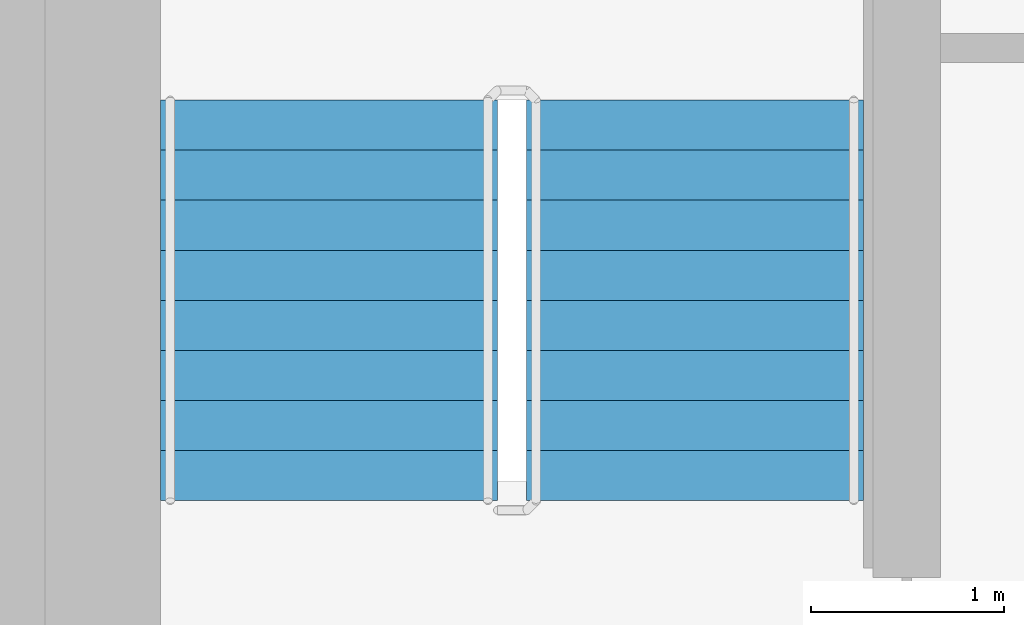
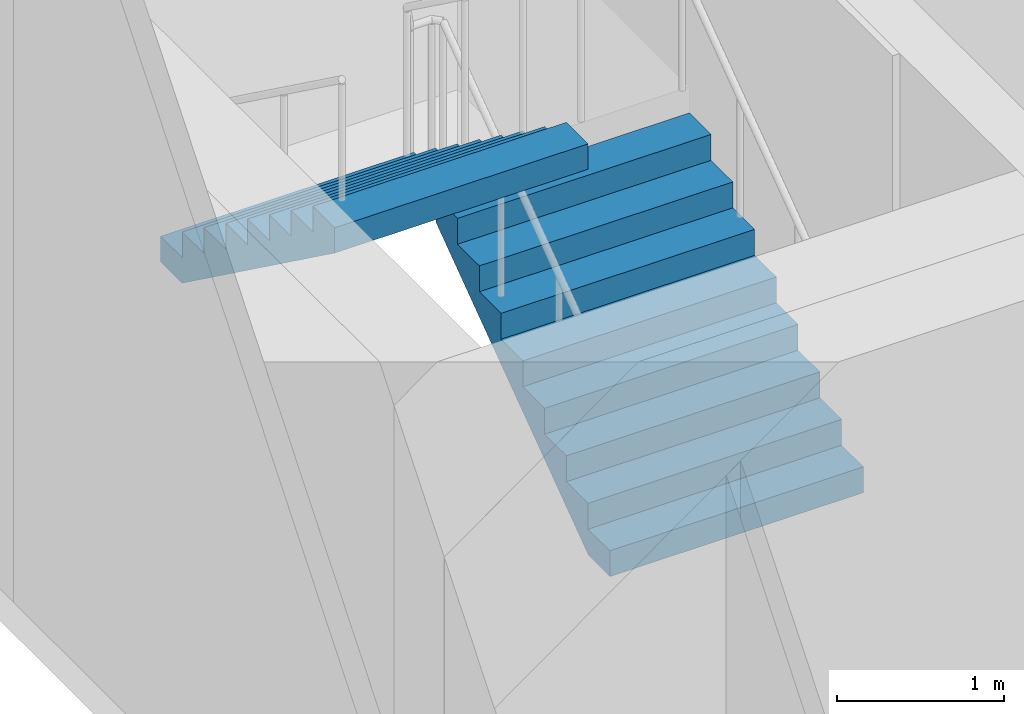
# One storey, part 15 of 18: 2 stair flights, 1 element without a shape of its own.
"""IFC4 building model written with IfcOpenShell, lengths in metres."""

from ifc_helpers import new_model, si_unit, direction, frame, origin, place, context, subcontext, project, spatial, faceted_brep, material, type_object, element, aggregate, save


model = new_model("IFC4")

# Units and contexts
model_context = context("Model", 3, precision=1e-05, world=origin(), true_north=direction((0.0, 1.0)))
body_context = subcontext(model_context, "Body", "Model", "MODEL_VIEW")
ifc_project = project(units=[si_unit("LENGTHUNIT", "METRE"), si_unit("AREAUNIT", "SQUARE_METRE"), si_unit("VOLUMEUNIT", "CUBIC_METRE"), si_unit("PLANEANGLEUNIT", "RADIAN"), si_unit("MASSUNIT", "GRAM", prefix="KILO")], contexts=[model_context])

# Site, building, storey
site_placement = place(None, origin())
site = spatial("IfcSite", under=ifc_project, at=site_placement, CompositionType="ELEMENT")
building_placement = place(site_placement, origin())
building = spatial("IfcBuilding", under=site, at=building_placement, Name="Ipe Terrace Towers", CompositionType="ELEMENT")
storey_placement = place(building_placement, frame((0.0, 0.0, 219.800048828125)))
storey = spatial("IfcBuildingStorey", under=building, at=storey_placement, Name="L61", CompositionType="ELEMENT", Elevation=219.800048828125)

# Stair, stair flights
ifc_material_1 = material(Name="Concrete C30/37", Category="concrete")
stair_type = type_object("IfcStairType", Name="Protected exit stair", PredefinedType="HALF_TURN_STAIR", material=ifc_material_1)
stair_placement = place(storey_placement, origin())
stair = element("IfcStair", 1, at=stair_placement, inside=storey, type_object=stair_type, Name="L61 Exit stair T2-C1", PredefinedType="HALF_TURN_STAIR")
ifc_material_2 = material(Name="Concrete C30/37", Category="concrete")
stair_flight_type = type_object("IfcStairFlightType", Name="Exit stair flight 1750", PredefinedType="STRAIGHT", material=ifc_material_2)
stair_flight_1_placement = place(storey_placement, frame((33.22509765625, 9.699951171875, 0.0), z_axis=(0.0, 0.0, 1.0), x_axis=(0.0, 1.0, 0.0)))
stair_flight_1 = element("IfcStairFlight", 2, at=stair_flight_1_placement, type_object=stair_flight_type, Name="T2-ST1 flight 1", NumberOfRisers=9, NumberOfTreads=8, PredefinedType="STRAIGHT", RiserHeight=0.188888889, TreadLength=0.26, context=body_context, shape_type="Brep", body=[
    faceted_brep([(0.255126953125, -0.875, 0.0), (2.080078125, -0.875, 1.325927734375), (2.080078125, -0.875, 1.51123046875), (1.820068359375, -0.875, 1.51123046875), (1.820068359375, -0.875, 1.322265625), (1.56005859375, -0.875, 1.322265625), (1.56005859375, -0.875, 1.13330078125), (1.300048828125, -0.875, 1.13330078125), (1.300048828125, -0.875, 0.9443359375), (1.0400390625, -0.875, 0.9443359375), (1.0400390625, -0.875, 0.755615234375), (0.780029296875, -0.875, 0.755615234375), (0.780029296875, -0.875, 0.566650390625), (0.52001953125, -0.875, 0.566650390625), (0.52001953125, -0.875, 0.377685546875), (0.260009765625, -0.875, 0.377685546875), (0.260009765625, -0.875, 0.18896484375), (0.0, -0.875, 0.18896484375), (0.0, -0.875, 0.0), (0.0, 0.875, 0.0), (0.0, 0.875, 0.18896484375), (0.260009765625, 0.875, 0.18896484375), (0.260009765625, 0.875, 0.377685546875), (0.52001953125, 0.875, 0.377685546875), (0.52001953125, 0.875, 0.566650390625), (0.780029296875, 0.875, 0.566650390625), (0.780029296875, 0.875, 0.755615234375), (1.0400390625, 0.875, 0.755615234375), (1.0400390625, 0.875, 0.9443359375), (1.300048828125, 0.875, 0.9443359375), (1.300048828125, 0.875, 1.13330078125), (1.56005859375, 0.875, 1.13330078125), (1.56005859375, 0.875, 1.322265625), (1.820068359375, 0.875, 1.322265625), (1.820068359375, 0.875, 1.51123046875), (2.080078125, 0.875, 1.51123046875), (2.080078125, 0.875, 1.325927734375), (0.255126953125, 0.875, 0.0), (0.0, -0.300048828125, 0.18896484375), (0.0, -0.1201171875, 0.18896484375), (0.0, -0.06005859375, 0.18896484375), (0.0, -0.030029296875, 0.18896484375), (0.0, -0.010009765625, 0.18896484375), (0.0, 0.0, 0.18896484375), (0.0, 0.010009765625, 0.18896484375), (0.0, 0.030029296875, 0.18896484375), (0.0, 0.06005859375, 0.18896484375), (0.0, 0.1201171875, 0.18896484375), (0.0, 0.300048828125, 0.18896484375), (0.0, 0.300048828125, 0.0), (0.0, 0.1201171875, 0.0), (0.0, 0.06005859375, 0.0), (0.0, 0.030029296875, 0.0), (0.0, 0.010009765625, 0.0), (0.0, 0.0, 0.0), (0.0, -0.010009765625, 0.0), (0.0, -0.030029296875, 0.0), (0.0, -0.06005859375, 0.0), (0.0, -0.1201171875, 0.0), (0.0, -0.300048828125, 0.0), (0.260009765625, -0.300048828125, 0.18896484375), (0.260009765625, -0.1201171875, 0.18896484375), (0.260009765625, -0.06005859375, 0.18896484375), (0.260009765625, -0.030029296875, 0.18896484375), (0.260009765625, -0.010009765625, 0.18896484375), (0.260009765625, 0.0, 0.18896484375), (0.260009765625, 0.010009765625, 0.18896484375), (0.260009765625, 0.030029296875, 0.18896484375), (0.260009765625, 0.06005859375, 0.18896484375), (0.260009765625, 0.1201171875, 0.18896484375), (0.260009765625, 0.300048828125, 0.18896484375), (0.260009765625, -0.300048828125, 0.377685546875), (0.260009765625, -0.1201171875, 0.377685546875), (0.260009765625, -0.06005859375, 0.377685546875), (0.260009765625, -0.030029296875, 0.377685546875), (0.260009765625, -0.010009765625, 0.377685546875), (0.260009765625, 0.0, 0.377685546875), (0.260009765625, 0.010009765625, 0.377685546875), (0.260009765625, 0.030029296875, 0.377685546875), (0.260009765625, 0.06005859375, 0.377685546875), (0.260009765625, 0.1201171875, 0.377685546875), (0.260009765625, 0.300048828125, 0.377685546875), (0.52001953125, -0.300048828125, 0.377685546875), (0.52001953125, -0.1201171875, 0.377685546875), (0.52001953125, -0.06005859375, 0.377685546875), (0.52001953125, -0.030029296875, 0.377685546875), (0.52001953125, -0.010009765625, 0.377685546875), (0.52001953125, 0.0, 0.377685546875), (0.52001953125, 0.010009765625, 0.377685546875), (0.52001953125, 0.030029296875, 0.377685546875), (0.52001953125, 0.06005859375, 0.377685546875), (0.52001953125, 0.1201171875, 0.377685546875), (0.52001953125, 0.300048828125, 0.377685546875), (0.52001953125, -0.300048828125, 0.566650390625), (0.52001953125, -0.1201171875, 0.566650390625), (0.52001953125, -0.06005859375, 0.566650390625), (0.52001953125, -0.030029296875, 0.566650390625), (0.52001953125, -0.010009765625, 0.566650390625), (0.52001953125, 0.0, 0.566650390625), (0.52001953125, 0.010009765625, 0.566650390625), (0.52001953125, 0.030029296875, 0.566650390625), (0.52001953125, 0.06005859375, 0.566650390625), (0.52001953125, 0.1201171875, 0.566650390625), (0.52001953125, 0.300048828125, 0.566650390625), (0.780029296875, -0.300048828125, 0.566650390625), (0.780029296875, -0.1201171875, 0.566650390625), (0.780029296875, -0.06005859375, 0.566650390625), (0.780029296875, -0.030029296875, 0.566650390625), (0.780029296875, -0.010009765625, 0.566650390625), (0.780029296875, 0.0, 0.566650390625), (0.780029296875, 0.010009765625, 0.566650390625), (0.780029296875, 0.030029296875, 0.566650390625), (0.780029296875, 0.06005859375, 0.566650390625), (0.780029296875, 0.1201171875, 0.566650390625), (0.780029296875, 0.300048828125, 0.566650390625), (0.780029296875, -0.300048828125, 0.755615234375), (0.780029296875, -0.1201171875, 0.755615234375), (0.780029296875, -0.06005859375, 0.755615234375), (0.780029296875, -0.030029296875, 0.755615234375), (0.780029296875, -0.010009765625, 0.755615234375), (0.780029296875, 0.0, 0.755615234375), (0.780029296875, 0.010009765625, 0.755615234375), (0.780029296875, 0.030029296875, 0.755615234375), (0.780029296875, 0.06005859375, 0.755615234375), (0.780029296875, 0.1201171875, 0.755615234375), (0.780029296875, 0.300048828125, 0.755615234375), (1.0400390625, -0.300048828125, 0.755615234375), (1.0400390625, -0.1201171875, 0.755615234375), (1.0400390625, -0.06005859375, 0.755615234375), (1.0400390625, -0.030029296875, 0.755615234375), (1.0400390625, -0.010009765625, 0.755615234375), (1.0400390625, 0.0, 0.755615234375), (1.0400390625, 0.010009765625, 0.755615234375), (1.0400390625, 0.030029296875, 0.755615234375), (1.0400390625, 0.06005859375, 0.755615234375), (1.0400390625, 0.1201171875, 0.755615234375), (1.0400390625, 0.300048828125, 0.755615234375), (1.0400390625, -0.300048828125, 0.9443359375), (1.0400390625, -0.1201171875, 0.9443359375), (1.0400390625, -0.06005859375, 0.9443359375), (1.0400390625, -0.030029296875, 0.9443359375), (1.0400390625, -0.010009765625, 0.9443359375), (1.0400390625, 0.0, 0.9443359375), (1.0400390625, 0.010009765625, 0.9443359375), (1.0400390625, 0.030029296875, 0.9443359375), (1.0400390625, 0.06005859375, 0.9443359375), (1.0400390625, 0.1201171875, 0.9443359375), (1.0400390625, 0.300048828125, 0.9443359375), (1.300048828125, -0.300048828125, 0.9443359375), (1.300048828125, -0.1201171875, 0.9443359375), (1.300048828125, -0.06005859375, 0.9443359375), (1.300048828125, -0.030029296875, 0.9443359375), (1.300048828125, -0.010009765625, 0.9443359375), (1.300048828125, 0.0, 0.9443359375), (1.300048828125, 0.010009765625, 0.9443359375), (1.300048828125, 0.030029296875, 0.9443359375), (1.300048828125, 0.06005859375, 0.9443359375), (1.300048828125, 0.1201171875, 0.9443359375), (1.300048828125, 0.300048828125, 0.9443359375), (1.300048828125, -0.300048828125, 1.13330078125), (1.300048828125, -0.1201171875, 1.13330078125), (1.300048828125, -0.06005859375, 1.13330078125), (1.300048828125, -0.030029296875, 1.13330078125), (1.300048828125, -0.010009765625, 1.13330078125), (1.300048828125, 0.0, 1.13330078125), (1.300048828125, 0.010009765625, 1.13330078125), (1.300048828125, 0.030029296875, 1.13330078125), (1.300048828125, 0.06005859375, 1.13330078125), (1.300048828125, 0.1201171875, 1.13330078125), (1.300048828125, 0.300048828125, 1.13330078125), (1.56005859375, -0.300048828125, 1.13330078125), (1.56005859375, -0.1201171875, 1.13330078125), (1.56005859375, -0.06005859375, 1.13330078125), (1.56005859375, -0.030029296875, 1.13330078125), (1.56005859375, -0.010009765625, 1.13330078125), (1.56005859375, 0.0, 1.13330078125), (1.56005859375, 0.010009765625, 1.13330078125), (1.56005859375, 0.030029296875, 1.13330078125), (1.56005859375, 0.06005859375, 1.13330078125), (1.56005859375, 0.1201171875, 1.13330078125), (1.56005859375, 0.300048828125, 1.13330078125), (1.56005859375, -0.300048828125, 1.322265625), (1.56005859375, -0.1201171875, 1.322265625), (1.56005859375, -0.06005859375, 1.322265625), (1.56005859375, -0.030029296875, 1.322265625), (1.56005859375, -0.010009765625, 1.322265625), (1.56005859375, 0.0, 1.322265625), (1.56005859375, 0.010009765625, 1.322265625), (1.56005859375, 0.030029296875, 1.322265625), (1.56005859375, 0.06005859375, 1.322265625), (1.56005859375, 0.1201171875, 1.322265625), (1.56005859375, 0.300048828125, 1.322265625), (1.820068359375, -0.300048828125, 1.322265625), (1.820068359375, -0.1201171875, 1.322265625), (1.820068359375, -0.06005859375, 1.322265625), (1.820068359375, -0.030029296875, 1.322265625), (1.820068359375, -0.010009765625, 1.322265625), (1.820068359375, 0.0, 1.322265625), (1.820068359375, 0.010009765625, 1.322265625), (1.820068359375, 0.030029296875, 1.322265625), (1.820068359375, 0.06005859375, 1.322265625), (1.820068359375, 0.1201171875, 1.322265625), (1.820068359375, 0.300048828125, 1.322265625), (1.820068359375, -0.300048828125, 1.51123046875), (1.820068359375, -0.1201171875, 1.51123046875), (1.820068359375, -0.06005859375, 1.51123046875), (1.820068359375, -0.030029296875, 1.51123046875), (1.820068359375, -0.010009765625, 1.51123046875), (1.820068359375, 0.0, 1.51123046875), (1.820068359375, 0.010009765625, 1.51123046875), (1.820068359375, 0.030029296875, 1.51123046875), (1.820068359375, 0.06005859375, 1.51123046875), (1.820068359375, 0.1201171875, 1.51123046875), (1.820068359375, 0.300048828125, 1.51123046875), (2.080078125, -0.300048828125, 1.51123046875), (2.080078125, -0.1201171875, 1.51123046875), (2.080078125, -0.06005859375, 1.51123046875), (2.080078125, -0.030029296875, 1.51123046875), (2.080078125, -0.010009765625, 1.51123046875), (2.080078125, 0.0, 1.51123046875), (2.080078125, 0.010009765625, 1.51123046875), (2.080078125, 0.030029296875, 1.51123046875), (2.080078125, 0.06005859375, 1.51123046875), (2.080078125, 0.1201171875, 1.51123046875), (2.080078125, 0.300048828125, 1.51123046875), (2.080078125, -0.300048828125, 1.325927734375), (2.080078125, -0.1201171875, 1.325927734375), (2.080078125, -0.06005859375, 1.325927734375), (2.080078125, -0.030029296875, 1.325927734375), (2.080078125, -0.010009765625, 1.325927734375), (2.080078125, 0.0, 1.325927734375), (2.080078125, 0.010009765625, 1.325927734375), (2.080078125, 0.030029296875, 1.325927734375), (2.080078125, 0.06005859375, 1.325927734375), (2.080078125, 0.1201171875, 1.325927734375), (2.080078125, 0.300048828125, 1.325927734375), (0.255126953125, -0.300048828125, 0.0), (0.255126953125, -0.1201171875, 0.0), (0.255126953125, -0.06005859375, 0.0), (0.255126953125, -0.030029296875, 0.0), (0.255126953125, -0.010009765625, 0.0), (0.255126953125, 0.0, 0.0), (0.255126953125, 0.010009765625, 0.0), (0.255126953125, 0.030029296875, 0.0), (0.255126953125, 0.06005859375, 0.0), (0.255126953125, 0.1201171875, 0.0), (0.255126953125, 0.300048828125, 0.0)], [[[0, 1, 2, 3, 4, 5, 6, 7, 8, 9, 10, 11, 12, 13, 14, 15, 16, 17, 18]], [[19, 20, 21, 22, 23, 24, 25, 26, 27, 28, 29, 30, 31, 32, 33, 34, 35, 36, 37]], [[17, 38, 39, 40, 41, 42, 43, 44, 45, 46, 47, 48, 20, 19, 49, 50, 51, 52, 53, 54, 55, 56, 57, 58, 59, 18]], [[16, 60, 61, 62, 63, 64, 65, 66, 67, 68, 69, 70, 21, 20, 48, 47, 46, 45, 44, 43, 42, 41, 40, 39, 38, 17]], [[15, 71, 72, 73, 74, 75, 76, 77, 78, 79, 80, 81, 22, 21, 70, 69, 68, 67, 66, 65, 64, 63, 62, 61, 60, 16]], [[14, 82, 83, 84, 85, 86, 87, 88, 89, 90, 91, 92, 23, 22, 81, 80, 79, 78, 77, 76, 75, 74, 73, 72, 71, 15]], [[13, 93, 94, 95, 96, 97, 98, 99, 100, 101, 102, 103, 24, 23, 92, 91, 90, 89, 88, 87, 86, 85, 84, 83, 82, 14]], [[12, 104, 105, 106, 107, 108, 109, 110, 111, 112, 113, 114, 25, 24, 103, 102, 101, 100, 99, 98, 97, 96, 95, 94, 93, 13]], [[11, 115, 116, 117, 118, 119, 120, 121, 122, 123, 124, 125, 26, 25, 114, 113, 112, 111, 110, 109, 108, 107, 106, 105, 104, 12]], [[10, 126, 127, 128, 129, 130, 131, 132, 133, 134, 135, 136, 27, 26, 125, 124, 123, 122, 121, 120, 119, 118, 117, 116, 115, 11]], [[9, 137, 138, 139, 140, 141, 142, 143, 144, 145, 146, 147, 28, 27, 136, 135, 134, 133, 132, 131, 130, 129, 128, 127, 126, 10]], [[8, 148, 149, 150, 151, 152, 153, 154, 155, 156, 157, 158, 29, 28, 147, 146, 145, 144, 143, 142, 141, 140, 139, 138, 137, 9]], [[7, 159, 160, 161, 162, 163, 164, 165, 166, 167, 168, 169, 30, 29, 158, 157, 156, 155, 154, 153, 152, 151, 150, 149, 148, 8]], [[6, 170, 171, 172, 173, 174, 175, 176, 177, 178, 179, 180, 31, 30, 169, 168, 167, 166, 165, 164, 163, 162, 161, 160, 159, 7]], [[5, 181, 182, 183, 184, 185, 186, 187, 188, 189, 190, 191, 32, 31, 180, 179, 178, 177, 176, 175, 174, 173, 172, 171, 170, 6]], [[4, 192, 193, 194, 195, 196, 197, 198, 199, 200, 201, 202, 33, 32, 191, 190, 189, 188, 187, 186, 185, 184, 183, 182, 181, 5]], [[3, 203, 204, 205, 206, 207, 208, 209, 210, 211, 212, 213, 34, 33, 202, 201, 200, 199, 198, 197, 196, 195, 194, 193, 192, 4]], [[2, 214, 215, 216, 217, 218, 219, 220, 221, 222, 223, 224, 35, 34, 213, 212, 211, 210, 209, 208, 207, 206, 205, 204, 203, 3]], [[1, 225, 226, 227, 228, 229, 230, 231, 232, 233, 234, 235, 36, 35, 224, 223, 222, 221, 220, 219, 218, 217, 216, 215, 214, 2]], [[0, 236, 237, 238, 239, 240, 241, 242, 243, 244, 245, 246, 37, 36, 235, 234, 233, 232, 231, 230, 229, 228, 227, 226, 225, 1]], [[18, 59, 58, 57, 56, 55, 54, 53, 52, 51, 50, 49, 19, 37, 246, 245, 244, 243, 242, 241, 240, 239, 238, 237, 236, 0]]]),
])
stair_flight_2_placement = place(storey_placement, frame((31.324951171875, 11.780029296875, 1.699951171875), z_axis=(0.0, 0.0, 1.0), x_axis=(0.0, -1.0, 0.0)))
stair_flight_2 = element("IfcStairFlight", 3, at=stair_flight_2_placement, type_object=stair_flight_type, Name="T2-ST1 flight 2", NumberOfRisers=9, NumberOfTreads=8, PredefinedType="STRAIGHT", RiserHeight=0.188888889, TreadLength=0.26, context=body_context, shape_type="Brep", body=[
    faceted_brep([(0.255126953125, -0.875, 0.0), (2.080078125, -0.875, 1.325927734375), (2.080078125, -0.875, 1.51123046875), (1.820068359375, -0.875, 1.51123046875), (1.820068359375, -0.875, 1.322265625), (1.56005859375, -0.875, 1.322265625), (1.56005859375, -0.875, 1.13330078125), (1.300048828125, -0.875, 1.13330078125), (1.300048828125, -0.875, 0.9443359375), (1.0400390625, -0.875, 0.9443359375), (1.0400390625, -0.875, 0.755615234375), (0.780029296875, -0.875, 0.755615234375), (0.780029296875, -0.875, 0.566650390625), (0.52001953125, -0.875, 0.566650390625), (0.52001953125, -0.875, 0.377685546875), (0.260009765625, -0.875, 0.377685546875), (0.260009765625, -0.875, 0.18896484375), (0.0, -0.875, 0.18896484375), (0.0, -0.875, 0.0), (0.0, 0.875, 0.0), (0.0, 0.875, 0.18896484375), (0.260009765625, 0.875, 0.18896484375), (0.260009765625, 0.875, 0.377685546875), (0.52001953125, 0.875, 0.377685546875), (0.52001953125, 0.875, 0.566650390625), (0.780029296875, 0.875, 0.566650390625), (0.780029296875, 0.875, 0.755615234375), (1.0400390625, 0.875, 0.755615234375), (1.0400390625, 0.875, 0.9443359375), (1.300048828125, 0.875, 0.9443359375), (1.300048828125, 0.875, 1.13330078125), (1.56005859375, 0.875, 1.13330078125), (1.56005859375, 0.875, 1.322265625), (1.820068359375, 0.875, 1.322265625), (1.820068359375, 0.875, 1.51123046875), (2.080078125, 0.875, 1.51123046875), (2.080078125, 0.875, 1.325927734375), (0.255126953125, 0.875, 0.0), (0.0, -0.300048828125, 0.18896484375), (0.0, -0.1201171875, 0.18896484375), (0.0, -0.06005859375, 0.18896484375), (0.0, -0.030029296875, 0.18896484375), (0.0, -0.010009765625, 0.18896484375), (0.0, 0.0, 0.18896484375), (0.0, 0.010009765625, 0.18896484375), (0.0, 0.030029296875, 0.18896484375), (0.0, 0.06005859375, 0.18896484375), (0.0, 0.1201171875, 0.18896484375), (0.0, 0.300048828125, 0.18896484375), (0.0, 0.300048828125, 0.0), (0.0, 0.1201171875, 0.0), (0.0, 0.06005859375, 0.0), (0.0, 0.030029296875, 0.0), (0.0, 0.010009765625, 0.0), (0.0, 0.0, 0.0), (0.0, -0.010009765625, 0.0), (0.0, -0.030029296875, 0.0), (0.0, -0.06005859375, 0.0), (0.0, -0.1201171875, 0.0), (0.0, -0.300048828125, 0.0), (0.260009765625, -0.300048828125, 0.18896484375), (0.260009765625, -0.1201171875, 0.18896484375), (0.260009765625, -0.06005859375, 0.18896484375), (0.260009765625, -0.030029296875, 0.18896484375), (0.260009765625, -0.010009765625, 0.18896484375), (0.260009765625, 0.0, 0.18896484375), (0.260009765625, 0.010009765625, 0.18896484375), (0.260009765625, 0.030029296875, 0.18896484375), (0.260009765625, 0.06005859375, 0.18896484375), (0.260009765625, 0.1201171875, 0.18896484375), (0.260009765625, 0.300048828125, 0.18896484375), (0.260009765625, -0.300048828125, 0.377685546875), (0.260009765625, -0.1201171875, 0.377685546875), (0.260009765625, -0.06005859375, 0.377685546875), (0.260009765625, -0.030029296875, 0.377685546875), (0.260009765625, -0.010009765625, 0.377685546875), (0.260009765625, 0.0, 0.377685546875), (0.260009765625, 0.010009765625, 0.377685546875), (0.260009765625, 0.030029296875, 0.377685546875), (0.260009765625, 0.06005859375, 0.377685546875), (0.260009765625, 0.1201171875, 0.377685546875), (0.260009765625, 0.300048828125, 0.377685546875), (0.52001953125, -0.300048828125, 0.377685546875), (0.52001953125, -0.1201171875, 0.377685546875), (0.52001953125, -0.06005859375, 0.377685546875), (0.52001953125, -0.030029296875, 0.377685546875), (0.52001953125, -0.010009765625, 0.377685546875), (0.52001953125, 0.0, 0.377685546875), (0.52001953125, 0.010009765625, 0.377685546875), (0.52001953125, 0.030029296875, 0.377685546875), (0.52001953125, 0.06005859375, 0.377685546875), (0.52001953125, 0.1201171875, 0.377685546875), (0.52001953125, 0.300048828125, 0.377685546875), (0.52001953125, -0.300048828125, 0.566650390625), (0.52001953125, -0.1201171875, 0.566650390625), (0.52001953125, -0.06005859375, 0.566650390625), (0.52001953125, -0.030029296875, 0.566650390625), (0.52001953125, -0.010009765625, 0.566650390625), (0.52001953125, 0.0, 0.566650390625), (0.52001953125, 0.010009765625, 0.566650390625), (0.52001953125, 0.030029296875, 0.566650390625), (0.52001953125, 0.06005859375, 0.566650390625), (0.52001953125, 0.1201171875, 0.566650390625), (0.52001953125, 0.300048828125, 0.566650390625), (0.780029296875, -0.300048828125, 0.566650390625), (0.780029296875, -0.1201171875, 0.566650390625), (0.780029296875, -0.06005859375, 0.566650390625), (0.780029296875, -0.030029296875, 0.566650390625), (0.780029296875, -0.010009765625, 0.566650390625), (0.780029296875, 0.0, 0.566650390625), (0.780029296875, 0.010009765625, 0.566650390625), (0.780029296875, 0.030029296875, 0.566650390625), (0.780029296875, 0.06005859375, 0.566650390625), (0.780029296875, 0.1201171875, 0.566650390625), (0.780029296875, 0.300048828125, 0.566650390625), (0.780029296875, -0.300048828125, 0.755615234375), (0.780029296875, -0.1201171875, 0.755615234375), (0.780029296875, -0.06005859375, 0.755615234375), (0.780029296875, -0.030029296875, 0.755615234375), (0.780029296875, -0.010009765625, 0.755615234375), (0.780029296875, 0.0, 0.755615234375), (0.780029296875, 0.010009765625, 0.755615234375), (0.780029296875, 0.030029296875, 0.755615234375), (0.780029296875, 0.06005859375, 0.755615234375), (0.780029296875, 0.1201171875, 0.755615234375), (0.780029296875, 0.300048828125, 0.755615234375), (1.0400390625, -0.300048828125, 0.755615234375), (1.0400390625, -0.1201171875, 0.755615234375), (1.0400390625, -0.06005859375, 0.755615234375), (1.0400390625, -0.030029296875, 0.755615234375), (1.0400390625, -0.010009765625, 0.755615234375), (1.0400390625, 0.0, 0.755615234375), (1.0400390625, 0.010009765625, 0.755615234375), (1.0400390625, 0.030029296875, 0.755615234375), (1.0400390625, 0.06005859375, 0.755615234375), (1.0400390625, 0.1201171875, 0.755615234375), (1.0400390625, 0.300048828125, 0.755615234375), (1.0400390625, -0.300048828125, 0.9443359375), (1.0400390625, -0.1201171875, 0.9443359375), (1.0400390625, -0.06005859375, 0.9443359375), (1.0400390625, -0.030029296875, 0.9443359375), (1.0400390625, -0.010009765625, 0.9443359375), (1.0400390625, 0.0, 0.9443359375), (1.0400390625, 0.010009765625, 0.9443359375), (1.0400390625, 0.030029296875, 0.9443359375), (1.0400390625, 0.06005859375, 0.9443359375), (1.0400390625, 0.1201171875, 0.9443359375), (1.0400390625, 0.300048828125, 0.9443359375), (1.300048828125, -0.300048828125, 0.9443359375), (1.300048828125, -0.1201171875, 0.9443359375), (1.300048828125, -0.06005859375, 0.9443359375), (1.300048828125, -0.030029296875, 0.9443359375), (1.300048828125, -0.010009765625, 0.9443359375), (1.300048828125, 0.0, 0.9443359375), (1.300048828125, 0.010009765625, 0.9443359375), (1.300048828125, 0.030029296875, 0.9443359375), (1.300048828125, 0.06005859375, 0.9443359375), (1.300048828125, 0.1201171875, 0.9443359375), (1.300048828125, 0.300048828125, 0.9443359375), (1.300048828125, -0.300048828125, 1.13330078125), (1.300048828125, -0.1201171875, 1.13330078125), (1.300048828125, -0.06005859375, 1.13330078125), (1.300048828125, -0.030029296875, 1.13330078125), (1.300048828125, -0.010009765625, 1.13330078125), (1.300048828125, 0.0, 1.13330078125), (1.300048828125, 0.010009765625, 1.13330078125), (1.300048828125, 0.030029296875, 1.13330078125), (1.300048828125, 0.06005859375, 1.13330078125), (1.300048828125, 0.1201171875, 1.13330078125), (1.300048828125, 0.300048828125, 1.13330078125), (1.56005859375, -0.300048828125, 1.13330078125), (1.56005859375, -0.1201171875, 1.13330078125), (1.56005859375, -0.06005859375, 1.13330078125), (1.56005859375, -0.030029296875, 1.13330078125), (1.56005859375, -0.010009765625, 1.13330078125), (1.56005859375, 0.0, 1.13330078125), (1.56005859375, 0.010009765625, 1.13330078125), (1.56005859375, 0.030029296875, 1.13330078125), (1.56005859375, 0.06005859375, 1.13330078125), (1.56005859375, 0.1201171875, 1.13330078125), (1.56005859375, 0.300048828125, 1.13330078125), (1.56005859375, -0.300048828125, 1.322265625), (1.56005859375, -0.1201171875, 1.322265625), (1.56005859375, -0.06005859375, 1.322265625), (1.56005859375, -0.030029296875, 1.322265625), (1.56005859375, -0.010009765625, 1.322265625), (1.56005859375, 0.0, 1.322265625), (1.56005859375, 0.010009765625, 1.322265625), (1.56005859375, 0.030029296875, 1.322265625), (1.56005859375, 0.06005859375, 1.322265625), (1.56005859375, 0.1201171875, 1.322265625), (1.56005859375, 0.300048828125, 1.322265625), (1.820068359375, -0.300048828125, 1.322265625), (1.820068359375, -0.1201171875, 1.322265625), (1.820068359375, -0.06005859375, 1.322265625), (1.820068359375, -0.030029296875, 1.322265625), (1.820068359375, -0.010009765625, 1.322265625), (1.820068359375, 0.0, 1.322265625), (1.820068359375, 0.010009765625, 1.322265625), (1.820068359375, 0.030029296875, 1.322265625), (1.820068359375, 0.06005859375, 1.322265625), (1.820068359375, 0.1201171875, 1.322265625), (1.820068359375, 0.300048828125, 1.322265625), (1.820068359375, -0.300048828125, 1.51123046875), (1.820068359375, -0.1201171875, 1.51123046875), (1.820068359375, -0.06005859375, 1.51123046875), (1.820068359375, -0.030029296875, 1.51123046875), (1.820068359375, -0.010009765625, 1.51123046875), (1.820068359375, 0.0, 1.51123046875), (1.820068359375, 0.010009765625, 1.51123046875), (1.820068359375, 0.030029296875, 1.51123046875), (1.820068359375, 0.06005859375, 1.51123046875), (1.820068359375, 0.1201171875, 1.51123046875), (1.820068359375, 0.300048828125, 1.51123046875), (2.080078125, -0.300048828125, 1.51123046875), (2.080078125, -0.1201171875, 1.51123046875), (2.080078125, -0.06005859375, 1.51123046875), (2.080078125, -0.030029296875, 1.51123046875), (2.080078125, -0.010009765625, 1.51123046875), (2.080078125, 0.0, 1.51123046875), (2.080078125, 0.010009765625, 1.51123046875), (2.080078125, 0.030029296875, 1.51123046875), (2.080078125, 0.06005859375, 1.51123046875), (2.080078125, 0.1201171875, 1.51123046875), (2.080078125, 0.300048828125, 1.51123046875), (2.080078125, -0.300048828125, 1.325927734375), (2.080078125, -0.1201171875, 1.325927734375), (2.080078125, -0.06005859375, 1.325927734375), (2.080078125, -0.030029296875, 1.325927734375), (2.080078125, -0.010009765625, 1.325927734375), (2.080078125, 0.0, 1.325927734375), (2.080078125, 0.010009765625, 1.325927734375), (2.080078125, 0.030029296875, 1.325927734375), (2.080078125, 0.06005859375, 1.325927734375), (2.080078125, 0.1201171875, 1.325927734375), (2.080078125, 0.300048828125, 1.325927734375), (0.255126953125, -0.300048828125, 0.0), (0.255126953125, -0.1201171875, 0.0), (0.255126953125, -0.06005859375, 0.0), (0.255126953125, -0.030029296875, 0.0), (0.255126953125, -0.010009765625, 0.0), (0.255126953125, 0.0, 0.0), (0.255126953125, 0.010009765625, 0.0), (0.255126953125, 0.030029296875, 0.0), (0.255126953125, 0.06005859375, 0.0), (0.255126953125, 0.1201171875, 0.0), (0.255126953125, 0.300048828125, 0.0)], [[[0, 1, 2, 3, 4, 5, 6, 7, 8, 9, 10, 11, 12, 13, 14, 15, 16, 17, 18]], [[19, 20, 21, 22, 23, 24, 25, 26, 27, 28, 29, 30, 31, 32, 33, 34, 35, 36, 37]], [[17, 38, 39, 40, 41, 42, 43, 44, 45, 46, 47, 48, 20, 19, 49, 50, 51, 52, 53, 54, 55, 56, 57, 58, 59, 18]], [[16, 60, 61, 62, 63, 64, 65, 66, 67, 68, 69, 70, 21, 20, 48, 47, 46, 45, 44, 43, 42, 41, 40, 39, 38, 17]], [[15, 71, 72, 73, 74, 75, 76, 77, 78, 79, 80, 81, 22, 21, 70, 69, 68, 67, 66, 65, 64, 63, 62, 61, 60, 16]], [[14, 82, 83, 84, 85, 86, 87, 88, 89, 90, 91, 92, 23, 22, 81, 80, 79, 78, 77, 76, 75, 74, 73, 72, 71, 15]], [[13, 93, 94, 95, 96, 97, 98, 99, 100, 101, 102, 103, 24, 23, 92, 91, 90, 89, 88, 87, 86, 85, 84, 83, 82, 14]], [[12, 104, 105, 106, 107, 108, 109, 110, 111, 112, 113, 114, 25, 24, 103, 102, 101, 100, 99, 98, 97, 96, 95, 94, 93, 13]], [[11, 115, 116, 117, 118, 119, 120, 121, 122, 123, 124, 125, 26, 25, 114, 113, 112, 111, 110, 109, 108, 107, 106, 105, 104, 12]], [[10, 126, 127, 128, 129, 130, 131, 132, 133, 134, 135, 136, 27, 26, 125, 124, 123, 122, 121, 120, 119, 118, 117, 116, 115, 11]], [[9, 137, 138, 139, 140, 141, 142, 143, 144, 145, 146, 147, 28, 27, 136, 135, 134, 133, 132, 131, 130, 129, 128, 127, 126, 10]], [[8, 148, 149, 150, 151, 152, 153, 154, 155, 156, 157, 158, 29, 28, 147, 146, 145, 144, 143, 142, 141, 140, 139, 138, 137, 9]], [[7, 159, 160, 161, 162, 163, 164, 165, 166, 167, 168, 169, 30, 29, 158, 157, 156, 155, 154, 153, 152, 151, 150, 149, 148, 8]], [[6, 170, 171, 172, 173, 174, 175, 176, 177, 178, 179, 180, 31, 30, 169, 168, 167, 166, 165, 164, 163, 162, 161, 160, 159, 7]], [[5, 181, 182, 183, 184, 185, 186, 187, 188, 189, 190, 191, 32, 31, 180, 179, 178, 177, 176, 175, 174, 173, 172, 171, 170, 6]], [[4, 192, 193, 194, 195, 196, 197, 198, 199, 200, 201, 202, 33, 32, 191, 190, 189, 188, 187, 186, 185, 184, 183, 182, 181, 5]], [[3, 203, 204, 205, 206, 207, 208, 209, 210, 211, 212, 213, 34, 33, 202, 201, 200, 199, 198, 197, 196, 195, 194, 193, 192, 4]], [[2, 214, 215, 216, 217, 218, 219, 220, 221, 222, 223, 224, 35, 34, 213, 212, 211, 210, 209, 208, 207, 206, 205, 204, 203, 3]], [[1, 225, 226, 227, 228, 229, 230, 231, 232, 233, 234, 235, 36, 35, 224, 223, 222, 221, 220, 219, 218, 217, 216, 215, 214, 2]], [[0, 236, 237, 238, 239, 240, 241, 242, 243, 244, 245, 246, 37, 36, 235, 234, 233, 232, 231, 230, 229, 228, 227, 226, 225, 1]], [[18, 59, 58, 57, 56, 55, 54, 53, 52, 51, 50, 49, 19, 37, 246, 245, 244, 243, 242, 241, 240, 239, 238, 237, 236, 0]]]),
])
aggregate(stair, [stair_flight_1, stair_flight_2])

save(model, "model.ifc")
